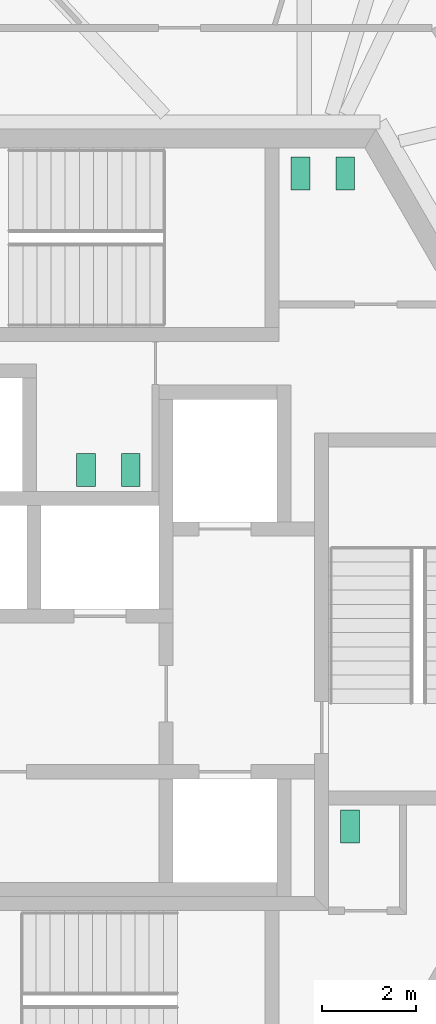
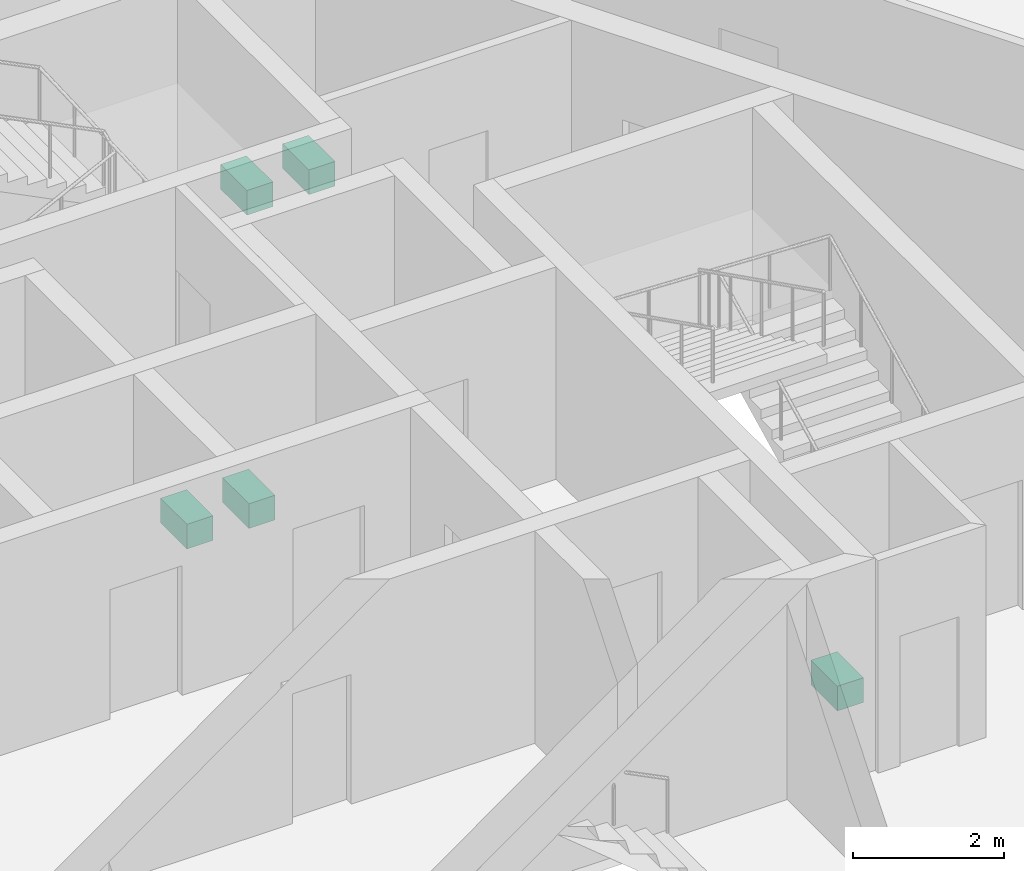
# One storey, part 16 of 18: 5 sanitary terminals.
"""IFC4 building model written with IfcOpenShell, lengths in metres."""

import ifcopenshell
import ifcopenshell.guid

model = None  # the IFC model being written
_history = None  # IfcOwnerHistory: only IFC2X3 demands one
_inside = {}  # id of a spatial element -> (the spatial element, [elements in it])
_under = {}  # id of a project, library or spatial element -> (it, [spatial elements below it])
_declared = {}  # id of a project -> (the project, [libraries it declares])
_typed = {}  # id of a type object -> (the type object, [elements of that type])
_made_of = {}  # id of a material, layer set ... -> (it, [elements and type objects made of it])


def new_model(schema):
    """Start an empty IFC model of exactly this schema.

    Asked for "IFC4X3", IfcOpenShell would pick the latest addendum, in which some entities
    have other attributes; the version numbers below select the first issue.
    IFC2X3 requires an IfcOwnerHistory on every rooted entity: one is made here for all.
    """
    global model, _history
    if schema == "IFC4X3":
        model = ifcopenshell.file(schema_version=(4, 3, 0, 0))
    else:
        model = ifcopenshell.file(schema=schema)
    _inside.clear()
    _under.clear()
    _declared.clear()
    _typed.clear()
    _made_of.clear()
    _history = None
    if model.schema == "IFC2X3":
        org = make("IfcOrganization", Name="unknown")
        user = make(
            "IfcPersonAndOrganization",
            ThePerson=make("IfcPerson", FamilyName="unknown"),
            TheOrganization=org,
        )
        app = make(
            "IfcApplication",
            ApplicationDeveloper=org,
            Version="unknown",
            ApplicationFullName="unknown",
            ApplicationIdentifier="unknown",
        )
        _history = make(
            "IfcOwnerHistory",
            OwningUser=user,
            OwningApplication=app,
            ChangeAction="ADDED",
            CreationDate=0,
        )
    return model


def make(cls, **values):
    """One entity of the class cls with the attributes given. An attribute that is None is left unset."""
    return model.create_entity(
        cls, **{name: value for name, value in values.items() if value is not None}
    )


def rooted(cls, **values):
    """An entity with a GlobalId (a new one), such as an element, a storey or a relation."""
    return make(cls, GlobalId=ifcopenshell.guid.new(), OwnerHistory=_history, **values)


def si_unit(unit_type, name, prefix=None):
    """IfcSIUnit, for example si_unit("LENGTHUNIT", "METRE", prefix="MILLI")."""
    return make("IfcSIUnit", UnitType=unit_type, Prefix=prefix, Name=name)


def assignment(units):
    """IfcUnitAssignment: the units of a project."""
    return None if units is None else make("IfcUnitAssignment", Units=units)


def point(xyz):
    """IfcCartesianPoint."""
    return None if xyz is None else make("IfcCartesianPoint", Coordinates=xyz)


def direction(xyz):
    """IfcDirection."""
    return None if xyz is None else make("IfcDirection", DirectionRatios=xyz)


def frame(location, z_axis=None, x_axis=None):
    """IfcAxis2Placement3D, a coordinate frame: its origin and axes. An axis left out is left unset."""
    return make(
        "IfcAxis2Placement3D",
        Location=point(location),
        Axis=direction(z_axis),
        RefDirection=direction(x_axis),
    )


def frame_2d(location, x_axis=None):
    """IfcAxis2Placement2D, a coordinate frame in the plane: its origin and x axis."""
    return make(
        "IfcAxis2Placement2D", Location=point(location), RefDirection=direction(x_axis)
    )


def origin():
    """The frame at (0, 0, 0) with its axes left unset."""
    return frame((0.0, 0.0, 0.0))


def origin_2d():
    """The frame at (0, 0) in the plane with its x axis left unset."""
    return frame_2d((0.0, 0.0))


def place(relative_to, where):
    """IfcLocalPlacement: puts the frame where relative to a parent placement (None: the world)."""
    return make(
        "IfcLocalPlacement", PlacementRelTo=relative_to, RelativePlacement=where
    )


def context(
    kind, dimensions, precision=None, world=None, true_north=None, identifier=None
):
    """IfcGeometricRepresentationContext, for example the 3D "Model" context."""
    return make(
        "IfcGeometricRepresentationContext",
        ContextIdentifier=identifier,
        ContextType=kind,
        CoordinateSpaceDimension=dimensions,
        Precision=precision,
        WorldCoordinateSystem=world,
        TrueNorth=true_north,
    )


def subcontext(parent, identifier, kind, view, scale=None):
    """IfcGeometricRepresentationSubContext, for example "Body" below "Model"."""
    return make(
        "IfcGeometricRepresentationSubContext",
        ContextIdentifier=identifier,
        ContextType=kind,
        ParentContext=parent,
        TargetScale=scale,
        TargetView=view,
    )


def project(units=None, contexts=None):
    """IfcProject with its units and contexts."""
    return rooted(
        "IfcProject",
        Name="project",
        RepresentationContexts=contexts,
        UnitsInContext=assignment(units),
    )


def spatial(cls, under=None, at=None, **own):
    """A site, building, storey or space (cls), placed at a placement, below another one or the project."""
    s = rooted(cls, ObjectPlacement=at, **own)
    if under is not None:
        _under.setdefault(under.id(), (under, []))[1].append(s)
    return s


def profile(cls, at=None, kind="AREA", **sizes):
    """A parametric profile (cls). Its sizes go by their IFC names, for example OverallWidth=200.0."""
    return make(cls, ProfileType=kind, Position=at, **sizes)


def rectangle(**sizes):
    """IfcRectangleProfileDef."""
    return profile("IfcRectangleProfileDef", **sizes)


def extrude(swept, where, along, depth):
    """IfcExtrudedAreaSolid: the profile swept, set in the frame where, extruded along a direction by depth."""
    return make(
        "IfcExtrudedAreaSolid",
        SweptArea=swept,
        Position=where,
        ExtrudedDirection=direction(along),
        Depth=depth,
    )


def shape(context_of_items, identifier, shape_type, items):
    """IfcShapeRepresentation: the items that make up one representation, for example the "Body"."""
    return make(
        "IfcShapeRepresentation",
        ContextOfItems=context_of_items,
        RepresentationIdentifier=identifier,
        RepresentationType=shape_type,
        Items=items,
    )


def source(mapping_origin, context_of_items, identifier, shape_type, items):
    """IfcRepresentationMap: a shape defined once, which mapped items show again and again."""
    return make(
        "IfcRepresentationMap",
        MappingOrigin=mapping_origin,
        MappedRepresentation=shape(context_of_items, identifier, shape_type, items),
    )


def transform(
    local_origin,
    x_axis=None,
    y_axis=None,
    z_axis=None,
    scale=None,
    scale2=None,
    scale3=None,
    uniform=True,
):
    """IfcCartesianTransformationOperator3D, or its non-uniform kind. x_axis, y_axis, z_axis: its Axis1, 2, 3."""
    if uniform:
        return make(
            "IfcCartesianTransformationOperator3D",
            Axis1=direction(x_axis),
            Axis2=direction(y_axis),
            LocalOrigin=point(local_origin),
            Scale=scale,
            Axis3=direction(z_axis),
        )
    return make(
        "IfcCartesianTransformationOperator3DnonUniform",
        Axis1=direction(x_axis),
        Axis2=direction(y_axis),
        LocalOrigin=point(local_origin),
        Scale=scale,
        Axis3=direction(z_axis),
        Scale2=scale2,
        Scale3=scale3,
    )


def mapped(mapping_source, mapping_target):
    """IfcMappedItem: shows the shape of a source again, moved by a transform."""
    return make(
        "IfcMappedItem", MappingSource=mapping_source, MappingTarget=mapping_target
    )


def material(Name=None, Category=None):
    """IfcMaterial."""
    return make("IfcMaterial", Name=Name, Category=Category)


def made_of(thing, what):
    """Note that an element or type object is made of a material, layer set ...; save() writes the relation."""
    if what is not None:
        _made_of.setdefault(what.id(), (what, []))[1].append(thing)
    return thing


def element(
    cls,
    number,
    at=None,
    inside=None,
    cuts=None,
    type_object=None,
    material=None,
    context=None,
    identifier="Body",
    shape_type=None,
    held_by="IfcProductDefinitionShape",
    body=None,
    shapes=None,
    **own,
):
    """One element of the class cls, such as IfcWall. Its Tag is "e" and its number.

    at: its placement. inside: the storey or other place that contains it. cuts: it is an
    opening in that element (IfcRelVoidsElement). A single representation is given by context,
    identifier, shape_type and body (its items); several are given by shapes. held_by: the class
    of the entity that holds the representations. save() writes the other relations.
    """
    e = rooted(cls, Tag="e%d" % number, ObjectPlacement=at, **own)
    if body is not None:
        shapes = [shape(context, identifier, shape_type, body)]
    if shapes is not None:
        e.Representation = make(held_by, Representations=shapes)
    if inside is not None:
        _inside.setdefault(inside.id(), (inside, []))[1].append(e)
    if cuts is not None:
        rooted(
            "IfcRelVoidsElement", RelatingBuildingElement=cuts, RelatedOpeningElement=e
        )
    if type_object is not None:
        _typed.setdefault(type_object.id(), (type_object, []))[1].append(e)
    return made_of(e, material)


def aggregate(whole, parts):
    """IfcRelAggregates: a whole, such as a stair, and the parts it consists of."""
    return rooted("IfcRelAggregates", RelatingObject=whole, RelatedObjects=parts)


def save(model, path):
    """Write the relations noted so far, then the file.

    IfcRelAggregates (storeys below a building ...), IfcRelContainedInSpatialStructure (elements
    in a storey), IfcRelDefinesByType, IfcRelAssociatesMaterial and IfcRelDeclares: one each for
    every whole, place, type object, material and project.
    """
    for whole, parts in _under.values():
        aggregate(whole, parts)
    for where, things in _inside.values():
        rooted(
            "IfcRelContainedInSpatialStructure",
            RelatedElements=things,
            RelatingStructure=where,
        )
    for kind, things in _typed.values():
        rooted("IfcRelDefinesByType", RelatedObjects=things, RelatingType=kind)
    for what, things in _made_of.values():
        rooted("IfcRelAssociatesMaterial", RelatedObjects=things, RelatingMaterial=what)
    for by, libraries in _declared.values():
        rooted("IfcRelDeclares", RelatingContext=by, RelatedDefinitions=libraries)
    model.write(path)


model = new_model("IFC4")

# Units and contexts
model_context = context("Model", 3, precision=1e-05, world=origin(), true_north=direction((0.0, 1.0)))
body_context = subcontext(model_context, "Body", "Model", "MODEL_VIEW")
ifc_project = project(units=[si_unit("LENGTHUNIT", "METRE"), si_unit("AREAUNIT", "SQUARE_METRE"), si_unit("VOLUMEUNIT", "CUBIC_METRE"), si_unit("PLANEANGLEUNIT", "RADIAN"), si_unit("MASSUNIT", "GRAM", prefix="KILO")], contexts=[model_context])

# Site, building, storey
site_placement = place(None, origin())
site = spatial("IfcSite", under=ifc_project, at=site_placement, CompositionType="ELEMENT")
building_placement = place(site_placement, origin())
building = spatial("IfcBuilding", under=site, at=building_placement, Name="Triune Harvest Tower", CompositionType="ELEMENT")
storey_placement = place(building_placement, frame((0.0, 0.0, 101.89990234375)))
storey = spatial("IfcBuildingStorey", under=building, at=storey_placement, Name="L25", CompositionType="ELEMENT", Elevation=101.89990234375)

# Sanitary terminals
ifc_material = material(Name="Vitreous china")
shared_shape = source(origin(), body_context, "Body", "SweptSolid", [
    extrude(rectangle(XDim=0.39990234375, YDim=0.699951171875, at=origin_2d()), origin(), (0.0, 0.0, 1.0), 0.39990234375),
])
for number, where, z_axis, x_axis, name in (
    (1, (4.39990234375, 9.449951171875, 0.000244140625), (0.0, 0.0, 1.0), (1.0, 0.0, 0.0), "Toilet pan L25.c01"),
    (2, (5.35009765625, 9.449951171875, 0.000244140625), (0.0, 0.0, 1.0), (1.0, 0.0, 0.0), "Toilet pan L25.c02"),
    (3, (0.800048828125, 3.159912109375, 0.000244140625), (0.0, 0.0, 1.0), (-1.0, 0.0, 0.0), "Toilet pan L25.c03"),
    (4, (-0.14990234375, 3.159912109375, 0.000244140625), (0.0, 0.0, 1.0), (-1.0, 0.0, 0.0), "Toilet pan L25.c04"),
    (5, (5.449951171875, -4.39990234375, 0.000244140625), (0.0, 0.0, 1.0), (1.0, 0.0, 0.0), "Toilet pan L25.c05"),
):
    element("IfcSanitaryTerminal", number, at=place(storey_placement, frame(where, z_axis=z_axis, x_axis=x_axis)), inside=storey, material=ifc_material, Name=name, PredefinedType="TOILETPAN", context=body_context, shape_type="MappedRepresentation", body=[
        mapped(shared_shape, transform((0.0, 0.0, 0.0), scale=1.0)),
    ])

save(model, "model.ifc")
